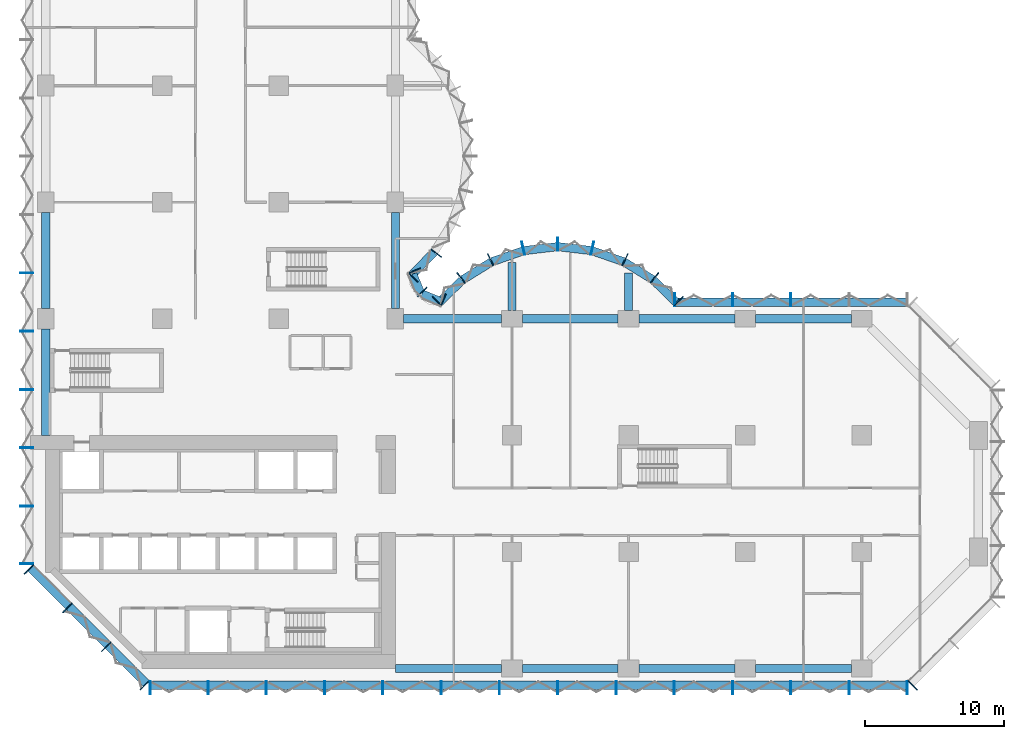
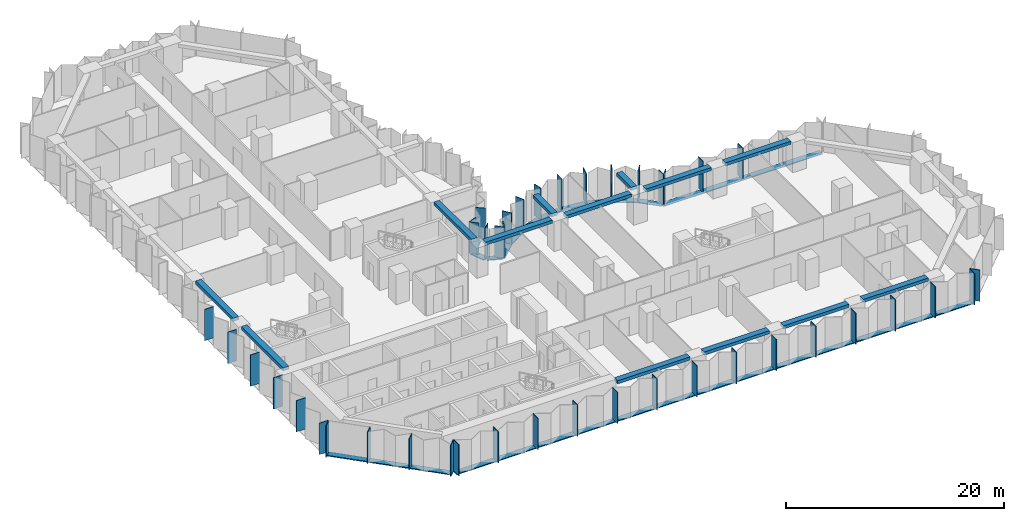
# One storey, part 2 of 15: 56 members, 13 beams, 8 elements without a shape of their own.
"""IFC4 building model written with IfcOpenShell, lengths in metres."""

from ifc_helpers import new_model, si_unit, direction, frame, origin, origin_2d, place, context, subcontext, project, spatial, rectangle, extrude, material, material_profile, profile_set, type_object, element, aggregate, save


model = new_model("IFC4")

# Units and contexts
model_context = context("Model", 3, precision=1e-05, world=origin(), true_north=direction((0.0, 1.0)))
body_context = subcontext(model_context, "Body", "Model", "MODEL_VIEW")
ifc_project = project(units=[si_unit("LENGTHUNIT", "METRE"), si_unit("AREAUNIT", "SQUARE_METRE"), si_unit("VOLUMEUNIT", "CUBIC_METRE"), si_unit("PLANEANGLEUNIT", "RADIAN"), si_unit("MASSUNIT", "GRAM", prefix="KILO")], contexts=[model_context])

# Site, building, storey
site_placement = place(None, origin())
site = spatial("IfcSite", under=ifc_project, at=site_placement, CompositionType="ELEMENT")
building_placement = place(site_placement, origin())
building = spatial("IfcBuilding", under=site, at=building_placement, Name="Brevane Broadcast Tower", CompositionType="ELEMENT")
storey_placement = place(building_placement, frame((0.0, 0.0, 61.699951171875)))
storey = spatial("IfcBuildingStorey", under=building, at=storey_placement, Name="L13", CompositionType="ELEMENT", Elevation=61.699951171875)

# Curtain wall, members
ifc_material_1 = material(Name="Aluminium 6063-T6 bronze anodised", Category="aluminium")
curtain_wall_type = type_object("IfcCurtainWallType", Name="CW-1 curtain wall", PredefinedType="NOTDEFINED", material=ifc_material_1)
curtain_wall_1_placement = place(storey_placement, origin())
curtain_wall_1 = element("IfcCurtainWall", 1, at=curtain_wall_1_placement, inside=storey, type_object=curtain_wall_type, Name="CW-1 typical tilted unit L13 south face", PredefinedType="NOTDEFINED")
ifc_material_profile_1 = material_profile(ifc_material_1, rectangle(XDim=0.949951171875, YDim=0.070068359375, at=origin_2d()), Name="RECT 70x950")
ifc_profile_set_1 = profile_set([ifc_material_profile_1], Name="Aluminium 6063-T6 bronze anodised")
member_type_1 = type_object("IfcMemberType", Name="CW-1 mullion 70x950", PredefinedType="MULLION", material=ifc_profile_set_1)
member_1_placement = place(storey_placement, frame((7.534912109375, -1.375, -0.14990234375), z_axis=(0.0, 0.0, 1.0), x_axis=(0.0, 1.0, 0.0)))
member_1 = element("IfcMember", 2, at=member_1_placement, type_object=member_type_1, Name="CW-1 mullion", PredefinedType="MULLION", context=body_context, shape_type="SweptSolid", body=[
    extrude(rectangle(XDim=0.949951171875, YDim=0.070068359375, at=origin_2d()), origin(), (0.0, 0.0, 1.0), 3.5),
])
member_2_placement = place(storey_placement, frame((11.699951171875, -1.375, -0.14990234375), z_axis=(0.0, 0.0, 1.0), x_axis=(0.0, 1.0, 0.0)))
member_2 = element("IfcMember", 3, at=member_2_placement, type_object=member_type_1, Name="CW-1 mullion", PredefinedType="MULLION", context=body_context, shape_type="SweptSolid", body=[
    extrude(rectangle(XDim=0.949951171875, YDim=0.070068359375, at=origin_2d()), origin(), (0.0, 0.0, 1.0), 3.5),
])
member_3_placement = place(storey_placement, frame((15.89990234375, -1.375, -0.14990234375), z_axis=(0.0, 0.0, 1.0), x_axis=(0.0, 1.0, 0.0)))
member_3 = element("IfcMember", 4, at=member_3_placement, type_object=member_type_1, Name="CW-1 mullion", PredefinedType="MULLION", context=body_context, shape_type="SweptSolid", body=[
    extrude(rectangle(XDim=0.949951171875, YDim=0.070068359375, at=origin_2d()), origin(), (0.0, 0.0, 1.0), 3.5),
])
member_4_placement = place(storey_placement, frame((20.10009765625, -1.375, -0.14990234375), z_axis=(0.0, 0.0, 1.0), x_axis=(0.0, 1.0, 0.0)))
member_4 = element("IfcMember", 5, at=member_4_placement, type_object=member_type_1, Name="CW-1 mullion", PredefinedType="MULLION", context=body_context, shape_type="SweptSolid", body=[
    extrude(rectangle(XDim=0.949951171875, YDim=0.070068359375, at=origin_2d()), origin(), (0.0, 0.0, 1.0), 3.5),
])
member_5_placement = place(storey_placement, frame((24.300048828125, -1.375, -0.14990234375), z_axis=(0.0, 0.0, 1.0), x_axis=(0.0, 1.0, 0.0)))
member_5 = element("IfcMember", 6, at=member_5_placement, type_object=member_type_1, Name="CW-1 mullion", PredefinedType="MULLION", context=body_context, shape_type="SweptSolid", body=[
    extrude(rectangle(XDim=0.949951171875, YDim=0.070068359375, at=origin_2d()), origin(), (0.0, 0.0, 1.0), 3.5),
])
member_6_placement = place(storey_placement, frame((28.5, -1.375, -0.14990234375), z_axis=(0.0, 0.0, 1.0), x_axis=(0.0, 1.0, 0.0)))
member_6 = element("IfcMember", 7, at=member_6_placement, type_object=member_type_1, Name="CW-1 mullion", PredefinedType="MULLION", context=body_context, shape_type="SweptSolid", body=[
    extrude(rectangle(XDim=0.949951171875, YDim=0.070068359375, at=origin_2d()), origin(), (0.0, 0.0, 1.0), 3.5),
])
member_7_placement = place(storey_placement, frame((32.699951171875, -1.375, -0.14990234375), z_axis=(0.0, 0.0, 1.0), x_axis=(0.0, 1.0, 0.0)))
member_7 = element("IfcMember", 8, at=member_7_placement, type_object=member_type_1, Name="CW-1 mullion", PredefinedType="MULLION", context=body_context, shape_type="SweptSolid", body=[
    extrude(rectangle(XDim=0.949951171875, YDim=0.070068359375, at=origin_2d()), origin(), (0.0, 0.0, 1.0), 3.5),
])
member_8_placement = place(storey_placement, frame((36.89990234375, -1.375, -0.14990234375), z_axis=(0.0, 0.0, 1.0), x_axis=(0.0, 1.0, 0.0)))
member_8 = element("IfcMember", 9, at=member_8_placement, type_object=member_type_1, Name="CW-1 mullion", PredefinedType="MULLION", context=body_context, shape_type="SweptSolid", body=[
    extrude(rectangle(XDim=0.949951171875, YDim=0.070068359375, at=origin_2d()), origin(), (0.0, 0.0, 1.0), 3.5),
])
member_9_placement = place(storey_placement, frame((41.10009765625, -1.375, -0.14990234375), z_axis=(0.0, 0.0, 1.0), x_axis=(0.0, 1.0, 0.0)))
member_9 = element("IfcMember", 10, at=member_9_placement, type_object=member_type_1, Name="CW-1 mullion", PredefinedType="MULLION", context=body_context, shape_type="SweptSolid", body=[
    extrude(rectangle(XDim=0.949951171875, YDim=0.070068359375, at=origin_2d()), origin(), (0.0, 0.0, 1.0), 3.5),
])
member_10_placement = place(storey_placement, frame((45.300048828125, -1.375, -0.14990234375), z_axis=(0.0, 0.0, 1.0), x_axis=(0.0, 1.0, 0.0)))
member_10 = element("IfcMember", 11, at=member_10_placement, type_object=member_type_1, Name="CW-1 mullion", PredefinedType="MULLION", context=body_context, shape_type="SweptSolid", body=[
    extrude(rectangle(XDim=0.949951171875, YDim=0.070068359375, at=origin_2d()), origin(), (0.0, 0.0, 1.0), 3.5),
])
member_11_placement = place(storey_placement, frame((49.5, -1.375, -0.14990234375), z_axis=(0.0, 0.0, 1.0), x_axis=(0.0, 1.0, 0.0)))
member_11 = element("IfcMember", 12, at=member_11_placement, type_object=member_type_1, Name="CW-1 mullion", PredefinedType="MULLION", context=body_context, shape_type="SweptSolid", body=[
    extrude(rectangle(XDim=0.949951171875, YDim=0.070068359375, at=origin_2d()), origin(), (0.0, 0.0, 1.0), 3.5),
])
member_12_placement = place(storey_placement, frame((53.699951171875, -1.375, -0.14990234375), z_axis=(0.0, 0.0, 1.0), x_axis=(0.0, 1.0, 0.0)))
member_12 = element("IfcMember", 13, at=member_12_placement, type_object=member_type_1, Name="CW-1 mullion", PredefinedType="MULLION", context=body_context, shape_type="SweptSolid", body=[
    extrude(rectangle(XDim=0.949951171875, YDim=0.070068359375, at=origin_2d()), origin(), (0.0, 0.0, 1.0), 3.5),
])
member_13_placement = place(storey_placement, frame((57.89990234375, -1.375, -0.14990234375), z_axis=(0.0, 0.0, 1.0), x_axis=(0.0, 1.0, 0.0)))
member_13 = element("IfcMember", 14, at=member_13_placement, type_object=member_type_1, Name="CW-1 mullion", PredefinedType="MULLION", context=body_context, shape_type="SweptSolid", body=[
    extrude(rectangle(XDim=0.949951171875, YDim=0.070068359375, at=origin_2d()), origin(), (0.0, 0.0, 1.0), 3.5),
])
member_14_placement = place(storey_placement, frame((62.06494140625, -1.375, -0.14990234375), z_axis=(0.0, 0.0, 1.0), x_axis=(0.0, 1.0, 0.0)))
member_14 = element("IfcMember", 15, at=member_14_placement, type_object=member_type_1, Name="CW-1 mullion", PredefinedType="MULLION", context=body_context, shape_type="SweptSolid", body=[
    extrude(rectangle(XDim=0.949951171875, YDim=0.070068359375, at=origin_2d()), origin(), (0.0, 0.0, 1.0), 3.5),
])

# Curtain wall, member
curtain_wall_2_placement = place(storey_placement, origin())
curtain_wall_2 = element("IfcCurtainWall", 16, at=curtain_wall_2_placement, inside=storey, type_object=curtain_wall_type, Name="CW-1 typical tilted unit L13 south-east chamfer", PredefinedType="NOTDEFINED")
member_15_placement = place(storey_placement, frame((62.460693359375, -1.211181640625, -0.14990234375), z_axis=(0.0, 0.0, 1.0), x_axis=(-0.707106781187, 0.707106781187, 0.0)))
member_15 = element("IfcMember", 17, at=member_15_placement, type_object=member_type_1, Name="CW-1 mullion", PredefinedType="MULLION", context=body_context, shape_type="SweptSolid", body=[
    extrude(rectangle(XDim=0.949951171875, YDim=0.070068359375, at=origin_2d()), origin(), (0.0, 0.0, 1.0), 3.5),
])
aggregate(curtain_wall_2, [member_15])

# Curtain wall, members
curtain_wall_3_placement = place(storey_placement, origin())
curtain_wall_3 = element("IfcCurtainWall", 18, at=curtain_wall_3_placement, inside=storey, type_object=curtain_wall_type, Name="CW-1 typical tilted unit L13 east arm north face", PredefinedType="NOTDEFINED")
member_16_placement = place(storey_placement, frame((53.699951171875, 26.574951171875, -0.14990234375), z_axis=(0.0, 0.0, 1.0), x_axis=(0.0, -1.0, 0.0)))
member_16 = element("IfcMember", 19, at=member_16_placement, type_object=member_type_1, Name="CW-1 mullion", PredefinedType="MULLION", context=body_context, shape_type="SweptSolid", body=[
    extrude(rectangle(XDim=0.949951171875, YDim=0.070068359375, at=origin_2d()), origin(), (0.0, 0.0, 1.0), 3.5),
])
member_17_placement = place(storey_placement, frame((49.5, 26.574951171875, -0.14990234375), z_axis=(0.0, 0.0, 1.0), x_axis=(0.0, -1.0, 0.0)))
member_17 = element("IfcMember", 20, at=member_17_placement, type_object=member_type_1, Name="CW-1 mullion", PredefinedType="MULLION", context=body_context, shape_type="SweptSolid", body=[
    extrude(rectangle(XDim=0.949951171875, YDim=0.070068359375, at=origin_2d()), origin(), (0.0, 0.0, 1.0), 3.5),
])
member_18_placement = place(storey_placement, frame((45.3349609375, 26.574951171875, -0.14990234375), z_axis=(0.0, 0.0, 1.0), x_axis=(0.0, -1.0, 0.0)))
member_18 = element("IfcMember", 21, at=member_18_placement, type_object=member_type_1, Name="CW-1 mullion", PredefinedType="MULLION", context=body_context, shape_type="SweptSolid", body=[
    extrude(rectangle(XDim=0.949951171875, YDim=0.070068359375, at=origin_2d()), origin(), (0.0, 0.0, 1.0), 3.5),
])

curtain_wall_4_placement = place(storey_placement, origin())
curtain_wall_4 = element("IfcCurtainWall", 22, at=curtain_wall_4_placement, inside=storey, type_object=curtain_wall_type, Name="CW-1 typical tilted unit L13 east bow", PredefinedType="NOTDEFINED")
member_19_placement = place(storey_placement, frame((45.60595703125, 26.465087890625, -0.14990234375), z_axis=(0.0, 0.0, 1.0), x_axis=(-0.696811941702, -0.717253872699, 0.0)))
member_19 = element("IfcMember", 23, at=member_19_placement, type_object=member_type_1, Name="CW-1 mullion", PredefinedType="MULLION", context=body_context, shape_type="SweptSolid", body=[
    extrude(rectangle(XDim=0.949951171875, YDim=0.070068359375, at=origin_2d()), origin(), (0.0, 0.0, 1.0), 3.5),
])
member_20_placement = place(storey_placement, frame((43.8720703125, 28.1455078125, -0.14990234375), z_axis=(0.0, 0.0, 1.0), x_axis=(-0.614769738617, -0.788706642853, 0.0)))
member_20 = element("IfcMember", 24, at=member_20_placement, type_object=member_type_1, Name="CW-1 mullion", PredefinedType="MULLION", context=body_context, shape_type="SweptSolid", body=[
    extrude(rectangle(XDim=0.949951171875, YDim=0.070068359375, at=origin_2d()), origin(), (0.0, 0.0, 1.0), 3.5),
])
member_21_placement = place(storey_placement, frame((41.746826171875, 29.4580078125, -0.14990234375), z_axis=(0.0, 0.0, 1.0), x_axis=(-0.429933601163, -0.902860508933, 0.0)))
member_21 = element("IfcMember", 25, at=member_21_placement, type_object=member_type_1, Name="CW-1 mullion", PredefinedType="MULLION", context=body_context, shape_type="SweptSolid", body=[
    extrude(rectangle(XDim=0.949951171875, YDim=0.070068359375, at=origin_2d()), origin(), (0.0, 0.0, 1.0), 3.5),
])
member_22_placement = place(storey_placement, frame((39.38818359375, 30.28076171875, -0.14990234375), z_axis=(0.0, 0.0, 1.0), x_axis=(-0.224806482215, -0.974403430594, 0.0)))
member_22 = element("IfcMember", 26, at=member_22_placement, type_object=member_type_1, Name="CW-1 mullion", PredefinedType="MULLION", context=body_context, shape_type="SweptSolid", body=[
    extrude(rectangle(XDim=0.949951171875, YDim=0.070068359375, at=origin_2d()), origin(), (0.0, 0.0, 1.0), 3.5),
])
member_23_placement = place(storey_placement, frame((36.89990234375, 30.574951171875, -0.14990234375), z_axis=(0.0, 0.0, 1.0), x_axis=(0.0, -1.0, 0.0)))
member_23 = element("IfcMember", 27, at=member_23_placement, type_object=member_type_1, Name="CW-1 mullion", PredefinedType="MULLION", context=body_context, shape_type="SweptSolid", body=[
    extrude(rectangle(XDim=0.949951171875, YDim=0.070068359375, at=origin_2d()), origin(), (0.0, 0.0, 1.0), 3.5),
])
member_24_placement = place(storey_placement, frame((34.411865234375, 30.28076171875, -0.14990234375), z_axis=(0.0, 0.0, 1.0), x_axis=(0.224806482215, -0.974403430594, 0.0)))
member_24 = element("IfcMember", 28, at=member_24_placement, type_object=member_type_1, Name="CW-1 mullion", PredefinedType="MULLION", context=body_context, shape_type="SweptSolid", body=[
    extrude(rectangle(XDim=0.949951171875, YDim=0.070068359375, at=origin_2d()), origin(), (0.0, 0.0, 1.0), 3.5),
])
member_25_placement = place(storey_placement, frame((32.05322265625, 29.4580078125, -0.14990234375), z_axis=(0.0, 0.0, 1.0), x_axis=(0.429933601163, -0.902860508933, 0.0)))
member_25 = element("IfcMember", 29, at=member_25_placement, type_object=member_type_1, Name="CW-1 mullion", PredefinedType="MULLION", context=body_context, shape_type="SweptSolid", body=[
    extrude(rectangle(XDim=0.949951171875, YDim=0.070068359375, at=origin_2d()), origin(), (0.0, 0.0, 1.0), 3.5),
])
member_26_placement = place(storey_placement, frame((29.927978515625, 28.1455078125, -0.14990234375), z_axis=(0.0, 0.0, 1.0), x_axis=(0.614769738617, -0.788706642853, 0.0)))
member_26 = element("IfcMember", 30, at=member_26_placement, type_object=member_type_1, Name="CW-1 mullion", PredefinedType="MULLION", context=body_context, shape_type="SweptSolid", body=[
    extrude(rectangle(XDim=0.949951171875, YDim=0.070068359375, at=origin_2d()), origin(), (0.0, 0.0, 1.0), 3.5),
])
member_27_placement = place(storey_placement, frame((28.194091796875, 26.465087890625, -0.14990234375), z_axis=(0.0, 0.0, 1.0), x_axis=(0.696811941702, -0.717253872699, 0.0)))
member_27 = element("IfcMember", 31, at=member_27_placement, type_object=member_type_1, Name="CW-1 mullion", PredefinedType="MULLION", context=body_context, shape_type="SweptSolid", body=[
    extrude(rectangle(XDim=0.949951171875, YDim=0.070068359375, at=origin_2d()), origin(), (0.0, 0.0, 1.0), 3.5),
])

curtain_wall_5_placement = place(storey_placement, origin())
curtain_wall_5 = element("IfcCurtainWall", 32, at=curtain_wall_5_placement, inside=storey, type_object=curtain_wall_type, Name="CW-1 typical tilted unit L13 inner corner", PredefinedType="NOTDEFINED")
member_28_placement = place(storey_placement, frame((28.6494140625, 26.55224609375, -0.14990234375), z_axis=(0.0, 0.0, 1.0), x_axis=(-0.382683612978, -0.923879457699, 0.0)))
member_28 = element("IfcMember", 33, at=member_28_placement, type_object=member_type_1, Name="CW-1 mullion", PredefinedType="MULLION", context=body_context, shape_type="SweptSolid", body=[
    extrude(rectangle(XDim=0.949951171875, YDim=0.070068359375, at=origin_2d()), origin(), (0.0, 0.0, 1.0), 3.5),
])
member_29_placement = place(storey_placement, frame((27.138916015625, 27.138916015625, -0.14990234375), z_axis=(0.0, 0.0, 1.0), x_axis=(-0.707106781187, -0.707106781187, 0.0)))
member_29 = element("IfcMember", 34, at=member_29_placement, type_object=member_type_1, Name="CW-1 mullion", PredefinedType="MULLION", context=body_context, shape_type="SweptSolid", body=[
    extrude(rectangle(XDim=0.949951171875, YDim=0.070068359375, at=origin_2d()), origin(), (0.0, 0.0, 1.0), 3.5),
])
member_30_placement = place(storey_placement, frame((26.55224609375, 28.6494140625, -0.14990234375), z_axis=(0.0, 0.0, 1.0), x_axis=(-0.923879457699, -0.382683612978, 0.0)))
member_30 = element("IfcMember", 35, at=member_30_placement, type_object=member_type_1, Name="CW-1 mullion", PredefinedType="MULLION", context=body_context, shape_type="SweptSolid", body=[
    extrude(rectangle(XDim=0.949951171875, YDim=0.070068359375, at=origin_2d()), origin(), (0.0, 0.0, 1.0), 3.5),
])

curtain_wall_6_placement = place(storey_placement, origin())
curtain_wall_6 = element("IfcCurtainWall", 36, at=curtain_wall_6_placement, inside=storey, type_object=curtain_wall_type, Name="CW-1 typical tilted unit L13 north bow", PredefinedType="NOTDEFINED")
member_31_placement = place(storey_placement, frame((26.465087890625, 28.194091796875, -0.14990234375), z_axis=(0.0, 0.0, 1.0), x_axis=(-0.717253872699, 0.696811941702, 0.0)))
member_31 = element("IfcMember", 37, at=member_31_placement, type_object=member_type_1, Name="CW-1 mullion", PredefinedType="MULLION", context=body_context, shape_type="SweptSolid", body=[
    extrude(rectangle(XDim=0.949951171875, YDim=0.070068359375, at=origin_2d()), origin(), (0.0, 0.0, 1.0), 3.5),
])
member_32_placement = place(storey_placement, frame((28.1455078125, 29.927978515625, -0.14990234375), z_axis=(0.0, 0.0, 1.0), x_axis=(-0.788706642853, 0.614769738617, 0.0)))
member_32 = element("IfcMember", 38, at=member_32_placement, type_object=member_type_1, Name="CW-1 mullion", PredefinedType="MULLION", context=body_context, shape_type="SweptSolid", body=[
    extrude(rectangle(XDim=0.949951171875, YDim=0.070068359375, at=origin_2d()), origin(), (0.0, 0.0, 1.0), 3.5),
])

curtain_wall_7_placement = place(storey_placement, origin())
curtain_wall_7 = element("IfcCurtainWall", 39, at=curtain_wall_7_placement, inside=storey, type_object=curtain_wall_type, Name="CW-1 typical tilted unit L13 west face", PredefinedType="NOTDEFINED")
member_33_placement = place(storey_placement, frame((-1.375, 28.5, -0.14990234375), z_axis=(0.0, 0.0, 1.0), x_axis=(1.0, 0.0, 0.0)))
member_33 = element("IfcMember", 40, at=member_33_placement, type_object=member_type_1, Name="CW-1 mullion", PredefinedType="MULLION", context=body_context, shape_type="SweptSolid", body=[
    extrude(rectangle(XDim=0.949951171875, YDim=0.070068359375, at=origin_2d()), origin(), (0.0, 0.0, 1.0), 3.5),
])
member_34_placement = place(storey_placement, frame((-1.375, 24.300048828125, -0.14990234375), z_axis=(0.0, 0.0, 1.0), x_axis=(1.0, 0.0, 0.0)))
member_34 = element("IfcMember", 41, at=member_34_placement, type_object=member_type_1, Name="CW-1 mullion", PredefinedType="MULLION", context=body_context, shape_type="SweptSolid", body=[
    extrude(rectangle(XDim=0.949951171875, YDim=0.070068359375, at=origin_2d()), origin(), (0.0, 0.0, 1.0), 3.5),
])
member_35_placement = place(storey_placement, frame((-1.375, 20.10009765625, -0.14990234375), z_axis=(0.0, 0.0, 1.0), x_axis=(1.0, 0.0, 0.0)))
member_35 = element("IfcMember", 42, at=member_35_placement, type_object=member_type_1, Name="CW-1 mullion", PredefinedType="MULLION", context=body_context, shape_type="SweptSolid", body=[
    extrude(rectangle(XDim=0.949951171875, YDim=0.070068359375, at=origin_2d()), origin(), (0.0, 0.0, 1.0), 3.5),
])
member_36_placement = place(storey_placement, frame((-1.375, 15.89990234375, -0.14990234375), z_axis=(0.0, 0.0, 1.0), x_axis=(1.0, 0.0, 0.0)))
member_36 = element("IfcMember", 43, at=member_36_placement, type_object=member_type_1, Name="CW-1 mullion", PredefinedType="MULLION", context=body_context, shape_type="SweptSolid", body=[
    extrude(rectangle(XDim=0.949951171875, YDim=0.070068359375, at=origin_2d()), origin(), (0.0, 0.0, 1.0), 3.5),
])
member_37_placement = place(storey_placement, frame((-1.375, 11.699951171875, -0.14990234375), z_axis=(0.0, 0.0, 1.0), x_axis=(1.0, 0.0, 0.0)))
member_37 = element("IfcMember", 44, at=member_37_placement, type_object=member_type_1, Name="CW-1 mullion", PredefinedType="MULLION", context=body_context, shape_type="SweptSolid", body=[
    extrude(rectangle(XDim=0.949951171875, YDim=0.070068359375, at=origin_2d()), origin(), (0.0, 0.0, 1.0), 3.5),
])
member_38_placement = place(storey_placement, frame((-1.375, 7.534912109375, -0.14990234375), z_axis=(0.0, 0.0, 1.0), x_axis=(1.0, 0.0, 0.0)))
member_38 = element("IfcMember", 45, at=member_38_placement, type_object=member_type_1, Name="CW-1 mullion", PredefinedType="MULLION", context=body_context, shape_type="SweptSolid", body=[
    extrude(rectangle(XDim=0.949951171875, YDim=0.070068359375, at=origin_2d()), origin(), (0.0, 0.0, 1.0), 3.5),
])
aggregate(curtain_wall_7, [member_33, member_34, member_35, member_36, member_37, member_38])

curtain_wall_8_placement = place(storey_placement, origin())
curtain_wall_8 = element("IfcCurtainWall", 46, at=curtain_wall_8_placement, inside=storey, type_object=curtain_wall_type, Name="CW-1 typical tilted unit L13 south-west chamfer", PredefinedType="NOTDEFINED")
member_39_placement = place(storey_placement, frame((-1.211181640625, 7.139404296875, -0.14990234375), z_axis=(0.0, 0.0, 1.0), x_axis=(0.707106781187, 0.707106781187, 0.0)))
member_39 = element("IfcMember", 47, at=member_39_placement, type_object=member_type_1, Name="CW-1 mullion", PredefinedType="MULLION", context=body_context, shape_type="SweptSolid", body=[
    extrude(rectangle(XDim=0.949951171875, YDim=0.070068359375, at=origin_2d()), origin(), (0.0, 0.0, 1.0), 3.5),
])
member_40_placement = place(storey_placement, frame((1.564208984375, 4.364013671875, -0.14990234375), z_axis=(0.0, 0.0, 1.0), x_axis=(0.707106781187, 0.707106781187, 0.0)))
member_40 = element("IfcMember", 48, at=member_40_placement, type_object=member_type_1, Name="CW-1 mullion", PredefinedType="MULLION", context=body_context, shape_type="SweptSolid", body=[
    extrude(rectangle(XDim=0.949951171875, YDim=0.070068359375, at=origin_2d()), origin(), (0.0, 0.0, 1.0), 3.5),
])
member_41_placement = place(storey_placement, frame((4.364013671875, 1.564208984375, -0.14990234375), z_axis=(0.0, 0.0, 1.0), x_axis=(0.707106781187, 0.707106781187, 0.0)))
member_41 = element("IfcMember", 49, at=member_41_placement, type_object=member_type_1, Name="CW-1 mullion", PredefinedType="MULLION", context=body_context, shape_type="SweptSolid", body=[
    extrude(rectangle(XDim=0.949951171875, YDim=0.070068359375, at=origin_2d()), origin(), (0.0, 0.0, 1.0), 3.5),
])
member_42_placement = place(storey_placement, frame((7.139404296875, -1.211181640625, -0.14990234375), z_axis=(0.0, 0.0, 1.0), x_axis=(0.707106781187, 0.707106781187, 0.0)))
member_42 = element("IfcMember", 50, at=member_42_placement, type_object=member_type_1, Name="CW-1 mullion", PredefinedType="MULLION", context=body_context, shape_type="SweptSolid", body=[
    extrude(rectangle(XDim=0.949951171875, YDim=0.070068359375, at=origin_2d()), origin(), (0.0, 0.0, 1.0), 3.5),
])

# Member
ifc_material_profile_2 = material_profile(ifc_material_1, rectangle(XDim=0.60009765625, YDim=0.10009765625, at=origin_2d()), Name="RECT 100x600")
ifc_profile_set_2 = profile_set([ifc_material_profile_2], Name="Aluminium 6063-T6 bronze anodised")
member_type_2 = type_object("IfcMemberType", Name="CW-1 transom 100x600", PredefinedType="USERDEFINED", material=ifc_profile_set_2)
member_43_placement = place(storey_placement, frame((7.5, -1.199951171875, -0.199951171875), z_axis=(1.0, 0.0, 0.0), x_axis=(0.0, 1.0, 0.0)))
member_43 = element("IfcMember", 51, at=member_43_placement, type_object=member_type_2, Name="CW-1 transom", ObjectType="TRANSOM", PredefinedType="USERDEFINED", context=body_context, shape_type="SweptSolid", body=[
    extrude(rectangle(XDim=0.60009765625, YDim=0.10009765625, at=origin_2d()), origin(), (0.0, 0.0, 1.0), 54.60009765625),
])

aggregate(curtain_wall_1, [member_1, member_2, member_3, member_4, member_5, member_6, member_7, member_8, member_9, member_10, member_11, member_12, member_13, member_14, member_43])

member_44_placement = place(storey_placement, frame((62.10009765625, 26.39990234375, -0.199951171875), z_axis=(-1.0, 0.0, 0.0), x_axis=(0.0, -1.0, 0.0)))
member_44 = element("IfcMember", 52, at=member_44_placement, type_object=member_type_2, Name="CW-1 transom", ObjectType="TRANSOM", PredefinedType="USERDEFINED", context=body_context, shape_type="SweptSolid", body=[
    extrude(rectangle(XDim=0.60009765625, YDim=0.10009765625, at=origin_2d()), origin(), (0.0, 0.0, 1.0), 16.800048828125),
])

aggregate(curtain_wall_3, [member_16, member_17, member_18, member_44])

member_45_placement = place(storey_placement, frame((45.412841796875, 26.407958984375, -0.199951171875), z_axis=(-0.71724215871, 0.696823999134, 0.0), x_axis=(-0.696823999134, -0.71724215871, 0.0)))
member_45 = element("IfcMember", 53, at=member_45_placement, type_object=member_type_2, Name="CW-1 transom", ObjectType="TRANSOM", PredefinedType="USERDEFINED", context=body_context, shape_type="SweptSolid", body=[
    extrude(rectangle(XDim=0.60009765625, YDim=0.10009765625, at=origin_2d()), origin(), (0.0, 0.0, 1.0), 2.247802734375),
])

member_46_placement = place(storey_placement, frame((43.7421875, 28.023193359375, -0.199951171875), z_axis=(-0.850810063131, 0.525473345162, 0.0), x_axis=(-0.525473345162, -0.850810063131, 0.0)))
member_46 = element("IfcMember", 54, at=member_46_placement, type_object=member_type_2, Name="CW-1 transom", ObjectType="TRANSOM", PredefinedType="USERDEFINED", context=body_context, shape_type="SweptSolid", body=[
    extrude(rectangle(XDim=0.60009765625, YDim=0.10009765625, at=origin_2d()), origin(), (0.0, 0.0, 1.0), 2.39453125),
])

member_47_placement = place(storey_placement, frame((41.63623046875, 29.314208984375, -0.199951171875), z_axis=(-0.944197969542, 0.329378497041, 0.0), x_axis=(-0.329378497041, -0.944197969542, 0.0)))
member_47 = element("IfcMember", 55, at=member_47_placement, type_object=member_type_2, Name="CW-1 transom", ObjectType="TRANSOM", PredefinedType="USERDEFINED", context=body_context, shape_type="SweptSolid", body=[
    extrude(rectangle(XDim=0.60009765625, YDim=0.10009765625, at=origin_2d()), origin(), (0.0, 0.0, 1.0), 2.394775390625),
])

member_48_placement = place(storey_placement, frame((39.30029296875, 30.117431640625, -0.199951171875), z_axis=(-0.993062061831, 0.117591417, 0.0), x_axis=(-0.117591417, -0.993062061831, 0.0)))
member_48 = element("IfcMember", 56, at=member_48_placement, type_object=member_type_2, Name="CW-1 transom", ObjectType="TRANSOM", PredefinedType="USERDEFINED", context=body_context, shape_type="SweptSolid", body=[
    extrude(rectangle(XDim=0.60009765625, YDim=0.10009765625, at=origin_2d()), origin(), (0.0, 0.0, 1.0), 2.39794921875),
])

member_49_placement = place(storey_placement, frame((36.880859375, 30.3994140625, -0.199951171875), z_axis=(-0.993060653805, -0.117603307202, 0.0), x_axis=(0.117603307202, -0.993060653805, 0.0)))
member_49 = element("IfcMember", 57, at=member_49_placement, type_object=member_type_2, Name="CW-1 transom", ObjectType="TRANSOM", PredefinedType="USERDEFINED", context=body_context, shape_type="SweptSolid", body=[
    extrude(rectangle(XDim=0.60009765625, YDim=0.10009765625, at=origin_2d()), origin(), (0.0, 0.0, 1.0), 2.397705078125),
])

member_50_placement = place(storey_placement, frame((34.425048828125, 30.10302734375, -0.199951171875), z_axis=(-0.944197969542, -0.329378497041, 0.0), x_axis=(0.329378497041, -0.944197969542, 0.0)))
member_50 = element("IfcMember", 58, at=member_50_placement, type_object=member_type_2, Name="CW-1 transom", ObjectType="TRANSOM", PredefinedType="USERDEFINED", context=body_context, shape_type="SweptSolid", body=[
    extrude(rectangle(XDim=0.60009765625, YDim=0.10009765625, at=origin_2d()), origin(), (0.0, 0.0, 1.0), 2.394775390625),
])

member_51_placement = place(storey_placement, frame((32.09521484375, 29.281494140625, -0.199951171875), z_axis=(-0.850838211365, -0.525427766759, 0.0), x_axis=(0.525427766759, -0.850838211365, 0.0)))
member_51 = element("IfcMember", 59, at=member_51_placement, type_object=member_type_2, Name="CW-1 transom", ObjectType="TRANSOM", PredefinedType="USERDEFINED", context=body_context, shape_type="SweptSolid", body=[
    extrude(rectangle(XDim=0.60009765625, YDim=0.10009765625, at=origin_2d()), origin(), (0.0, 0.0, 1.0), 2.394775390625),
])

member_52_placement = place(storey_placement, frame((29.99951171875, 27.974365234375, -0.199951171875), z_axis=(-0.71724215871, -0.696823999134, 0.0), x_axis=(0.696823999134, -0.71724215871, 0.0)))
member_52 = element("IfcMember", 60, at=member_52_placement, type_object=member_type_2, Name="CW-1 transom", ObjectType="TRANSOM", PredefinedType="USERDEFINED", context=body_context, shape_type="SweptSolid", body=[
    extrude(rectangle(XDim=0.60009765625, YDim=0.10009765625, at=origin_2d()), origin(), (0.0, 0.0, 1.0), 2.247802734375),
])

aggregate(curtain_wall_4, [member_19, member_20, member_21, member_22, member_23, member_24, member_25, member_26, member_27, member_45, member_46, member_47, member_48, member_49, member_50, member_51, member_52])

member_53_placement = place(storey_placement, frame((28.528076171875, 26.40673828125, -0.199951171875), z_axis=(-0.923883243627, 0.382674472816, 0.0), x_axis=(-0.382674472816, -0.923883243627, 0.0)))
member_53 = element("IfcMember", 61, at=member_53_placement, type_object=member_type_2, Name="CW-1 transom", ObjectType="TRANSOM", PredefinedType="USERDEFINED", context=body_context, shape_type="SweptSolid", body=[
    extrude(rectangle(XDim=0.60009765625, YDim=0.10009765625, at=origin_2d()), origin(), (0.0, 0.0, 1.0), 1.536865234375),
])

member_54_placement = place(storey_placement, frame((27.039794921875, 27.0, -0.199951171875), z_axis=(-0.382674472816, 0.923883243627, 0.0), x_axis=(-0.923883243627, -0.382674472816, 0.0)))
member_54 = element("IfcMember", 62, at=member_54_placement, type_object=member_type_2, Name="CW-1 transom", ObjectType="TRANSOM", PredefinedType="USERDEFINED", context=body_context, shape_type="SweptSolid", body=[
    extrude(rectangle(XDim=0.60009765625, YDim=0.10009765625, at=origin_2d()), origin(), (0.0, 0.0, 1.0), 1.536865234375),
])

aggregate(curtain_wall_5, [member_28, member_29, member_30, member_53, member_54])

member_55_placement = place(storey_placement, frame((26.407958984375, 28.38720703125, -0.199951171875), z_axis=(0.696823999134, 0.71724215871, 0.0), x_axis=(-0.71724215871, 0.696823999134, 0.0)))
member_55 = element("IfcMember", 63, at=member_55_placement, type_object=member_type_2, Name="CW-1 transom", ObjectType="TRANSOM", PredefinedType="USERDEFINED", context=body_context, shape_type="SweptSolid", body=[
    extrude(rectangle(XDim=0.60009765625, YDim=0.10009765625, at=origin_2d()), origin(), (0.0, 0.0, 1.0), 2.247802734375),
])

aggregate(curtain_wall_6, [member_31, member_32, member_55])

member_56_placement = place(storey_placement, frame((-1.112060546875, 7.287841796875, -0.199951171875), z_axis=(0.707106781187, -0.707106781187, 0.0), x_axis=(0.707106781187, 0.707106781187, 0.0)))
member_56 = element("IfcMember", 64, at=member_56_placement, type_object=member_type_2, Name="CW-1 transom", ObjectType="TRANSOM", PredefinedType="USERDEFINED", context=body_context, shape_type="SweptSolid", body=[
    extrude(rectangle(XDim=0.60009765625, YDim=0.10009765625, at=origin_2d()), origin(), (0.0, 0.0, 1.0), 11.879150390625),
])

aggregate(curtain_wall_8, [member_39, member_40, member_41, member_42, member_56])

# Beams
ifc_material_2 = material(Name="Concrete C40/50", Category="concrete")
ifc_material_profile_3 = material_profile(ifc_material_2, rectangle(XDim=0.60009765625, YDim=0.35009765625, at=origin_2d()), Name="RC 600x350")
ifc_profile_set_3 = profile_set([ifc_material_profile_3], Name="Concrete C40/50")
beam_type_1 = type_object("IfcBeamType", Name="RC BRACKET BEAM 600x350 C40/50", PredefinedType="BEAM", material=ifc_profile_set_3)
beam_1_placement = place(storey_placement, frame((33.60009765625, 25.800048828125, 3.175048828125), z_axis=(0.0, 1.0, 0.0), x_axis=(-1.0, 0.0, 0.0)))
element("IfcBeam", 65, at=beam_1_placement, inside=storey, type_object=beam_type_1, Name="EB2 L13-3", PredefinedType="BEAM", context=body_context, shape_type="SweptSolid", body=[
    extrude(rectangle(XDim=0.60009765625, YDim=0.35009765625, at=origin_2d()), origin(), (0.0, 0.0, 1.0), 3.4619140625),
])
beam_2_placement = place(storey_placement, frame((42.0, 25.800048828125, 3.175048828125), z_axis=(0.0, 1.0, 0.0), x_axis=(-1.0, 0.0, 0.0)))
element("IfcBeam", 66, at=beam_2_placement, inside=storey, type_object=beam_type_1, Name="EB2 L13-4", PredefinedType="BEAM", context=body_context, shape_type="SweptSolid", body=[
    extrude(rectangle(XDim=0.60009765625, YDim=0.35009765625, at=origin_2d()), origin(), (0.0, 0.0, 1.0), 2.71142578125),
])
ifc_material_profile_4 = material_profile(ifc_material_2, rectangle(XDim=0.60009765625, YDim=0.35009765625, at=origin_2d()), Name="RC 600x350")
ifc_profile_set_4 = profile_set([ifc_material_profile_4], Name="Concrete C40/50")
beam_type_2 = type_object("IfcBeamType", Name="RC SPANDREL BEAM 600x350 C40/50", PredefinedType="SPANDREL", material=ifc_profile_set_4)
beam_3_placement = place(storey_placement, frame((25.199951171875, 0.0, 3.175048828125), z_axis=(1.0, 0.0, 0.0), x_axis=(0.0, 1.0, 0.0)))
element("IfcBeam", 67, at=beam_3_placement, inside=storey, type_object=beam_type_2, Name="EB1 L13-1", PredefinedType="SPANDREL", context=body_context, shape_type="SweptSolid", body=[
    extrude(rectangle(XDim=0.60009765625, YDim=0.35009765625, at=origin_2d()), origin(), (0.0, 0.0, 1.0), 7.650146484375),
])
for number, where, z_axis, x_axis, name in (
    (68, (34.35009765625, 0.0, 3.175048828125), (1.0, 0.0, 0.0), (0.0, 1.0, 0.0), "EB1 L13-2"),
    (69, (42.75, 0.0, 3.175048828125), (1.0, 0.0, 0.0), (0.0, 1.0, 0.0), "EB1 L13-3"),
):
    element("IfcBeam", number, at=place(storey_placement, frame(where, z_axis=z_axis, x_axis=x_axis)), inside=storey, type_object=beam_type_2, Name=name, PredefinedType="SPANDREL", context=body_context, shape_type="SweptSolid", body=[
        extrude(rectangle(XDim=0.60009765625, YDim=0.35009765625, at=origin_2d()), origin(), (0.0, 0.0, 1.0), 6.89990234375),
    ])
for number, where, z_axis, x_axis, name in (
    (70, (51.14990234375, 0.0, 3.175048828125), (1.0, 0.0, 0.0), (0.0, 1.0, 0.0), "EB1 L13-4"),
    (71, (58.050048828125, 25.199951171875, 3.175048828125), (-1.0, 0.0, 0.0), (0.0, -1.0, 0.0), "EB1 L13-8"),
):
    element("IfcBeam", number, at=place(storey_placement, frame(where, z_axis=z_axis, x_axis=x_axis)), inside=storey, type_object=beam_type_2, Name=name, PredefinedType="SPANDREL", context=body_context, shape_type="SweptSolid", body=[
        extrude(rectangle(XDim=0.60009765625, YDim=0.35009765625, at=origin_2d()), origin(), (0.0, 0.0, 1.0), 6.900146484375),
    ])
for number, where, z_axis, x_axis, name in (
    (72, (49.64990234375, 25.199951171875, 3.175048828125), (-1.0, 0.0, 0.0), (0.0, -1.0, 0.0), "EB1 L13-9"),
    (73, (41.25, 25.199951171875, 3.175048828125), (-1.0, 0.0, 0.0), (0.0, -1.0, 0.0), "EB1 L13-10"),
):
    element("IfcBeam", number, at=place(storey_placement, frame(where, z_axis=z_axis, x_axis=x_axis)), inside=storey, type_object=beam_type_2, Name=name, PredefinedType="SPANDREL", context=body_context, shape_type="SweptSolid", body=[
        extrude(rectangle(XDim=0.60009765625, YDim=0.35009765625, at=origin_2d()), origin(), (0.0, 0.0, 1.0), 6.89990234375),
    ])
beam_4_placement = place(storey_placement, frame((32.85009765625, 25.199951171875, 3.175048828125), z_axis=(-1.0, 0.0, 0.0), x_axis=(0.0, -1.0, 0.0)))
element("IfcBeam", 74, at=beam_4_placement, inside=storey, type_object=beam_type_2, Name="EB1 L13-11", PredefinedType="SPANDREL", context=body_context, shape_type="SweptSolid", body=[
    extrude(rectangle(XDim=0.60009765625, YDim=0.35009765625, at=origin_2d()), origin(), (0.0, 0.0, 1.0), 7.050048828125),
])
for number, where, z_axis, x_axis, name in (
    (75, (25.199951171875, 25.949951171875, 3.175048828125), (0.0, 1.0, 0.0), (-1.0, 0.0, 0.0), "EB1 L13-12"),
    (76, (0.0, 32.85009765625, 3.175048828125), (0.0, -1.0, 0.0), (1.0, 0.0, 0.0), "EB1 L13-22"),
):
    element("IfcBeam", number, at=place(storey_placement, frame(where, z_axis=z_axis, x_axis=x_axis)), inside=storey, type_object=beam_type_2, Name=name, PredefinedType="SPANDREL", context=body_context, shape_type="SweptSolid", body=[
        extrude(rectangle(XDim=0.60009765625, YDim=0.35009765625, at=origin_2d()), origin(), (0.0, 0.0, 1.0), 6.900146484375),
    ])
beam_5_placement = place(storey_placement, frame((0.0, 24.449951171875, 3.175048828125), z_axis=(0.0, -1.0, 0.0), x_axis=(1.0, 0.0, 0.0)))
element("IfcBeam", 77, at=beam_5_placement, inside=storey, type_object=beam_type_2, Name="EB1 L13-23", PredefinedType="SPANDREL", context=body_context, shape_type="SweptSolid", body=[
    extrude(rectangle(XDim=0.60009765625, YDim=0.35009765625, at=origin_2d()), origin(), (0.0, 0.0, 1.0), 7.64990234375),
])

save(model, "model.ifc")
